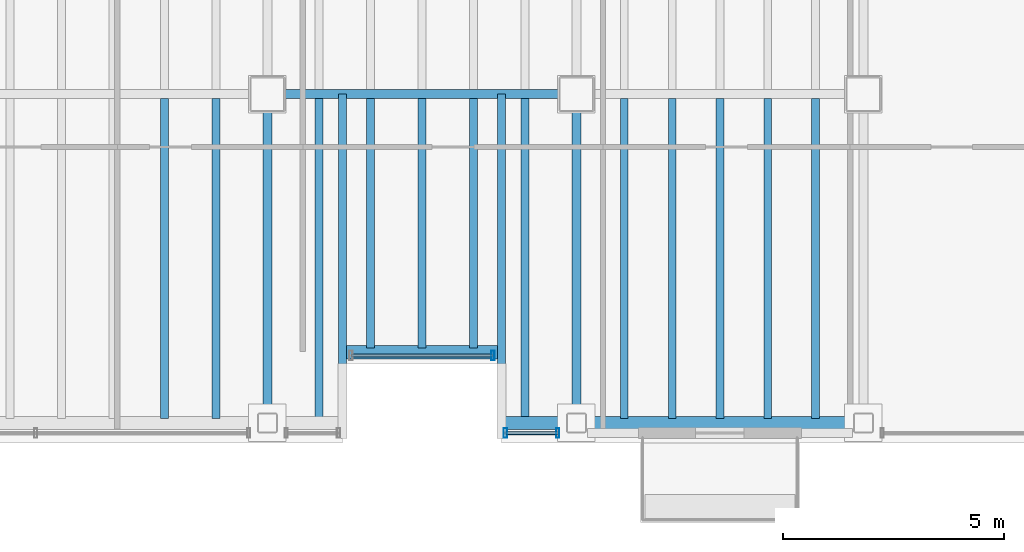
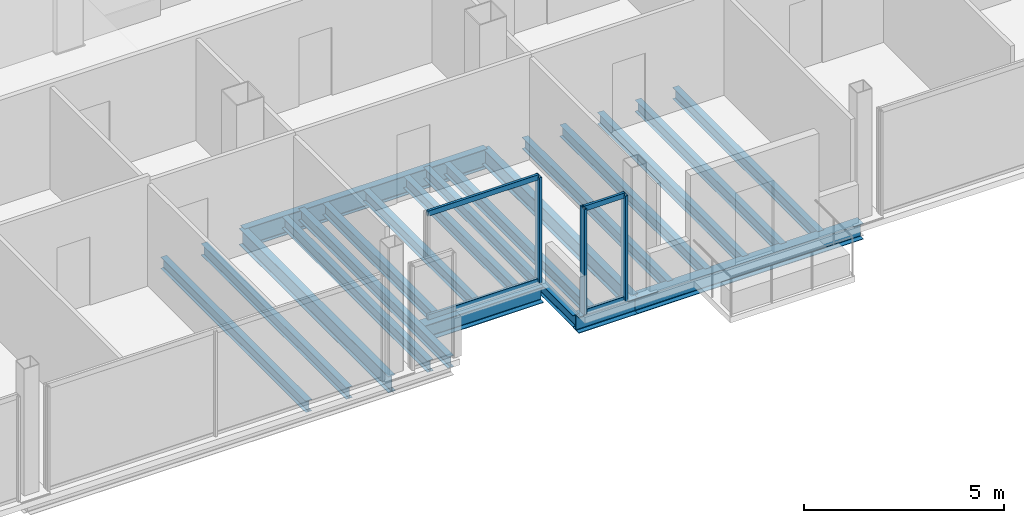
# One storey, part 6 of 17: 20 beams, 7 members, 2 elements without a shape of their own.
"""IFC4 building model written with IfcOpenShell, lengths in metres."""

from ifc_helpers import new_model, si_unit, direction, frame, origin, origin_2d, place, context, subcontext, project, spatial, hollow_rectangle, i_section, extrude, material, material_profile, profile_set, type_object, element, aggregate, save


model = new_model("IFC4")

# Units and contexts
model_context = context("Model", 3, precision=1e-05, world=origin(), true_north=direction((0.0, 1.0)))
body_context = subcontext(model_context, "Body", "Model", "MODEL_VIEW")
ifc_project = project(units=[si_unit("LENGTHUNIT", "METRE"), si_unit("AREAUNIT", "SQUARE_METRE"), si_unit("VOLUMEUNIT", "CUBIC_METRE"), si_unit("PLANEANGLEUNIT", "RADIAN"), si_unit("MASSUNIT", "GRAM", prefix="KILO")], contexts=[model_context])

# Site, building, storey
site_placement = place(None, origin())
site = spatial("IfcSite", under=ifc_project, at=site_placement, CompositionType="ELEMENT")
building_placement = place(site_placement, origin())
building = spatial("IfcBuilding", under=site, at=building_placement, Name="Noeulbin Bourse Tower", CompositionType="ELEMENT")
storey_placement = place(building_placement, frame((0.0, 0.0, 242.300048828125)))
storey = spatial("IfcBuildingStorey", under=building, at=storey_placement, Name="L60", CompositionType="ELEMENT", Elevation=242.300048828125)

# Beams
ifc_material_1 = material(Name="Steel S355", Category="steel")
ifc_material_profile_1 = material_profile(ifc_material_1, i_section(OverallWidth=0.199951171875, OverallDepth=0.5, WebThickness=0.010009765625, FlangeThickness=0.01611328125, FilletRadius=0.02001953125, at=origin_2d()), Name="H-500x200x10x16", Category="LoadBearing")
ifc_profile_set_1 = profile_set([ifc_material_profile_1], Name="Steel S355")
beam_type_1 = type_object("IfcBeamType", Name="BM-GRD-500", PredefinedType="USERDEFINED", material=ifc_profile_set_1)
for number, where, z_axis, x_axis, name in (
    (1, (24.0, 12.550048828125, -0.429931640625), (0.0, 1.0, 0.0), (-1.0, 0.0, 0.0), "Tower Primary Girder NS L60-2.1"),
    (2, (31.0, 12.550048828125, -0.429931640625), (0.0, 1.0, 0.0), (-1.0, 0.0, 0.0), "Tower Primary Girder NS L60-3.1"),
):
    element("IfcBeam", number, at=place(storey_placement, frame(where, z_axis=z_axis, x_axis=x_axis)), inside=storey, type_object=beam_type_1, Name=name, ObjectType="GIRDER", PredefinedType="USERDEFINED", context=body_context, shape_type="SweptSolid", body=[
        extrude(i_section(OverallWidth=0.199951171875, OverallDepth=0.5, WebThickness=0.010009765625, FlangeThickness=0.01611328125, FilletRadius=0.02001953125, at=origin_2d()), origin(), (0.0, 0.0, 1.0), 7.449951171875),
    ])
ifc_material_profile_2 = material_profile(ifc_material_1, i_section(OverallWidth=0.199951171875, OverallDepth=0.60009765625, WebThickness=0.010986328125, FlangeThickness=0.01708984375, FilletRadius=0.02197265625, at=origin_2d()), Name="H-600x200x11x17", Category="LoadBearing")
ifc_profile_set_2 = profile_set([ifc_material_profile_2], Name="Steel S355")
beam_type_2 = type_object("IfcBeamType", Name="BM-GRD-600", PredefinedType="USERDEFINED", material=ifc_profile_set_2)
beam_1_placement = place(storey_placement, frame((24.0, 20.0, -0.47998046875), z_axis=(1.0, 0.0, 0.0), x_axis=(0.0, 1.0, 0.0)))
element("IfcBeam", 3, at=beam_1_placement, inside=storey, type_object=beam_type_2, Name="Tower Primary Girder EW L60-1.3", ObjectType="GIRDER", PredefinedType="USERDEFINED", context=body_context, shape_type="SweptSolid", body=[
    extrude(i_section(OverallWidth=0.199951171875, OverallDepth=0.60009765625, WebThickness=0.010986328125, FlangeThickness=0.01708984375, FilletRadius=0.02197265625, at=origin_2d()), origin(), (0.0, 0.0, 1.0), 7.0),
])
ifc_material_profile_3 = material_profile(ifc_material_1, i_section(OverallWidth=0.175048828125, OverallDepth=0.35009765625, WebThickness=0.007080078125, FlangeThickness=0.010986328125, FilletRadius=0.013916015625, at=origin_2d()), Name="H-350x175x7x11", Category="LoadBearing")
ifc_profile_set_3 = profile_set([ifc_material_profile_3], Name="Steel S355")
beam_type_3 = type_object("IfcBeamType", Name="BM-JST-350", PredefinedType="JOIST", material=ifc_profile_set_3)
for number, where, z_axis, x_axis, name in (
    (4, (25.699951171875, 12.550048828125, -0.35498046875), (0.0, 1.0, 0.0), (-1.0, 0.0, 0.0), "BM-L60-SRT-W"),
    (5, (29.300048828125, 12.550048828125, -0.35498046875), (0.0, 1.0, 0.0), (-1.0, 0.0, 0.0), "BM-L60-SRT-E"),
):
    element("IfcBeam", number, at=place(storey_placement, frame(where, z_axis=z_axis, x_axis=x_axis)), inside=storey, type_object=beam_type_3, Name=name, PredefinedType="JOIST", context=body_context, shape_type="SweptSolid", body=[
        extrude(i_section(OverallWidth=0.175048828125, OverallDepth=0.35009765625, WebThickness=0.007080078125, FlangeThickness=0.010986328125, FilletRadius=0.013916015625, at=origin_2d()), origin(), (0.0, 0.0, 1.0), 7.449951171875),
    ])
for number, where, z_axis, x_axis, name in (
    (6, (21.666748046875, 12.64990234375, -0.35498046875), (0.0, 1.0, 0.0), (-1.0, 0.0, 0.0), "Tower Composite Joist L60-13"),
    (7, (22.833251953125, 12.64990234375, -0.35498046875), (0.0, 1.0, 0.0), (-1.0, 0.0, 0.0), "Tower Composite Joist L60-15"),
    (8, (25.166748046875, 12.64990234375, -0.35498046875), (0.0, 1.0, 0.0), (-1.0, 0.0, 0.0), "Tower Composite Joist L60-17"),
):
    element("IfcBeam", number, at=place(storey_placement, frame(where, z_axis=z_axis, x_axis=x_axis)), inside=storey, type_object=beam_type_3, Name=name, PredefinedType="JOIST", context=body_context, shape_type="SweptSolid", body=[
        extrude(i_section(OverallWidth=0.175048828125, OverallDepth=0.35009765625, WebThickness=0.007080078125, FlangeThickness=0.010986328125, FilletRadius=0.013916015625, at=origin_2d()), origin(), (0.0, 0.0, 1.0), 7.25),
    ])
for number, where, z_axis, x_axis, name in (
    (9, (26.333251953125, 14.25, -0.35498046875), (0.0, 1.0, 0.0), (-1.0, 0.0, 0.0), "Tower Composite Joist L60-19"),
    (10, (27.5, 14.25, -0.35498046875), (0.0, 1.0, 0.0), (-1.0, 0.0, 0.0), "Tower Composite Joist L60-21"),
    (11, (28.666748046875, 14.25, -0.35498046875), (0.0, 1.0, 0.0), (-1.0, 0.0, 0.0), "Tower Composite Joist L60-23"),
):
    element("IfcBeam", number, at=place(storey_placement, frame(where, z_axis=z_axis, x_axis=x_axis)), inside=storey, type_object=beam_type_3, Name=name, PredefinedType="JOIST", context=body_context, shape_type="SweptSolid", body=[
        extrude(i_section(OverallWidth=0.175048828125, OverallDepth=0.35009765625, WebThickness=0.007080078125, FlangeThickness=0.010986328125, FilletRadius=0.013916015625, at=origin_2d()), origin(), (0.0, 0.0, 1.0), 5.64990234375),
    ])
for number, where, z_axis, x_axis, name in (
    (12, (29.833251953125, 12.64990234375, -0.35498046875), (0.0, 1.0, 0.0), (-1.0, 0.0, 0.0), "Tower Composite Joist L60-25"),
    (13, (32.083251953125, 12.64990234375, -0.35498046875), (0.0, 1.0, 0.0), (-1.0, 0.0, 0.0), "Tower Composite Joist L60-27"),
    (14, (33.166748046875, 12.64990234375, -0.35498046875), (0.0, 1.0, 0.0), (-1.0, 0.0, 0.0), "Tower Composite Joist L60-29"),
    (15, (34.25, 12.64990234375, -0.35498046875), (0.0, 1.0, 0.0), (-1.0, 0.0, 0.0), "Tower Composite Joist L60-31"),
    (16, (35.333251953125, 12.64990234375, -0.35498046875), (0.0, 1.0, 0.0), (-1.0, 0.0, 0.0), "Tower Composite Joist L60-33"),
    (17, (36.416748046875, 12.64990234375, -0.35498046875), (0.0, 1.0, 0.0), (-1.0, 0.0, 0.0), "Tower Composite Joist L60-35"),
):
    element("IfcBeam", number, at=place(storey_placement, frame(where, z_axis=z_axis, x_axis=x_axis)), inside=storey, type_object=beam_type_3, Name=name, PredefinedType="JOIST", context=body_context, shape_type="SweptSolid", body=[
        extrude(i_section(OverallWidth=0.175048828125, OverallDepth=0.35009765625, WebThickness=0.007080078125, FlangeThickness=0.010986328125, FilletRadius=0.013916015625, at=origin_2d()), origin(), (0.0, 0.0, 1.0), 7.25),
    ])
ifc_material_profile_4 = material_profile(ifc_material_1, i_section(OverallWidth=0.300048828125, OverallDepth=0.488037109375, WebThickness=0.010986328125, FlangeThickness=0.01806640625, FilletRadius=0.02197265625, at=origin_2d()), Name="H-488x300x11x18", Category="LoadBearing")
ifc_profile_set_4 = profile_set([ifc_material_profile_4], Name="Steel S355")
beam_type_4 = type_object("IfcBeamType", Name="BM-SPN-488", PredefinedType="SPANDREL", material=ifc_profile_set_4)
beam_2_placement = place(storey_placement, frame((25.78759765625, 14.14990234375, -0.424072265625), z_axis=(1.0, 0.0, 0.0), x_axis=(0.0, 1.0, 0.0)))
element("IfcBeam", 18, at=beam_2_placement, inside=storey, type_object=beam_type_4, Name="South Recess Spandrel L60-2B", PredefinedType="SPANDREL", context=body_context, shape_type="SweptSolid", body=[
    extrude(i_section(OverallWidth=0.300048828125, OverallDepth=0.488037109375, WebThickness=0.010986328125, FlangeThickness=0.01806640625, FilletRadius=0.02197265625, at=origin_2d()), origin(), (0.0, 0.0, 1.0), 3.4248046875),
])
beam_3_placement = place(storey_placement, frame((29.300048828125, 12.550048828125, -0.424072265625), z_axis=(1.0, 0.0, 0.0), x_axis=(0.0, 1.0, 0.0)))
element("IfcBeam", 19, at=beam_3_placement, inside=storey, type_object=beam_type_4, Name="South Spandrel L60-2C", PredefinedType="SPANDREL", context=body_context, shape_type="SweptSolid", body=[
    extrude(i_section(OverallWidth=0.300048828125, OverallDepth=0.488037109375, WebThickness=0.010986328125, FlangeThickness=0.01806640625, FilletRadius=0.02197265625, at=origin_2d()), origin(), (0.0, 0.0, 1.0), 1.699951171875),
])
beam_4_placement = place(storey_placement, frame((31.0, 12.550048828125, -0.424072265625), z_axis=(1.0, 0.0, 0.0), x_axis=(0.0, 1.0, 0.0)))
element("IfcBeam", 20, at=beam_4_placement, inside=storey, type_object=beam_type_4, Name="South Spandrel L60-3", PredefinedType="SPANDREL", context=body_context, shape_type="SweptSolid", body=[
    extrude(i_section(OverallWidth=0.300048828125, OverallDepth=0.488037109375, WebThickness=0.010986328125, FlangeThickness=0.01806640625, FilletRadius=0.02197265625, at=origin_2d()), origin(), (0.0, 0.0, 1.0), 6.5),
])

# Curtain wall, member
ifc_material_2 = material(Name="High-Selectivity Low-Iron Glazing", Category="glass")
curtain_wall_type = type_object("IfcCurtainWallType", Name="CW-SYS-4", PredefinedType="NOTDEFINED", material=ifc_material_2)
curtain_wall_1_placement = place(storey_placement, origin())
curtain_wall_1 = element("IfcCurtainWall", 21, at=curtain_wall_1_placement, inside=storey, type_object=curtain_wall_type, Name="Unitised Curtain Wall CW-L60-SREC", PredefinedType="NOTDEFINED")
ifc_material_3 = material(Name="Anodised Aluminium 6063-T6", Category="aluminium")
ifc_material_profile_5 = material_profile(ifc_material_3, hollow_rectangle(XDim=0.074951171875, YDim=0.219970703125, WallThickness=0.0048828125, InnerFilletRadius=0.00244140625, OuterFilletRadius=0.0048828125, at=origin_2d()), Name="ALU-MULL-75x220x5", Category="LoadBearing")
ifc_profile_set_5 = profile_set([ifc_material_profile_5], Name="Anodised Aluminium 6063-T6")
member_type_1 = type_object("IfcMemberType", Name="CW-SYS-4-MUL", PredefinedType="MULLION", material=ifc_profile_set_5)
member_1_placement = place(storey_placement, frame((29.110107421875, 14.080078125, -0.02001953125), z_axis=(0.0, 0.0, 1.0), x_axis=(1.0, 0.0, 0.0)))
member_1 = element("IfcMember", 22, at=member_1_placement, type_object=member_type_1, Name="Curtain Wall Mullion CW-L60-SREC-M01", PredefinedType="MULLION", context=body_context, shape_type="SweptSolid", body=[
    extrude(hollow_rectangle(XDim=0.074951171875, YDim=0.219970703125, WallThickness=0.0048828125, InnerFilletRadius=0.00244140625, OuterFilletRadius=0.0048828125, at=origin_2d()), origin(), (0.0, 0.0, 1.0), 3.219970703125),
])

# Curtain wall, members
curtain_wall_2_placement = place(storey_placement, origin())
curtain_wall_2 = element("IfcCurtainWall", 23, at=curtain_wall_2_placement, inside=storey, type_object=curtain_wall_type, Name="Unitised Curtain Wall CW-L60-S2", PredefinedType="NOTDEFINED")
member_2_placement = place(storey_placement, frame((29.389892578125, 12.320068359375, -0.02001953125), z_axis=(0.0, 0.0, 1.0), x_axis=(1.0, 0.0, 0.0)))
member_2 = element("IfcMember", 24, at=member_2_placement, type_object=member_type_1, Name="Curtain Wall Mullion CW-L60-S2-M00", PredefinedType="MULLION", context=body_context, shape_type="SweptSolid", body=[
    extrude(hollow_rectangle(XDim=0.074951171875, YDim=0.219970703125, WallThickness=0.0048828125, InnerFilletRadius=0.00244140625, OuterFilletRadius=0.0048828125, at=origin_2d()), origin(), (0.0, 0.0, 1.0), 3.219970703125),
])
member_3_placement = place(storey_placement, frame((30.574951171875, 12.320068359375, -0.02001953125), z_axis=(0.0, 0.0, 1.0), x_axis=(1.0, 0.0, 0.0)))
member_3 = element("IfcMember", 25, at=member_3_placement, type_object=member_type_1, Name="Curtain Wall Mullion CW-L60-S2-M01", PredefinedType="MULLION", context=body_context, shape_type="SweptSolid", body=[
    extrude(hollow_rectangle(XDim=0.074951171875, YDim=0.219970703125, WallThickness=0.0048828125, InnerFilletRadius=0.00244140625, OuterFilletRadius=0.0048828125, at=origin_2d()), origin(), (0.0, 0.0, 1.0), 3.219970703125),
])

# Member
ifc_material_profile_6 = material_profile(ifc_material_3, hollow_rectangle(XDim=0.074951171875, YDim=0.159912109375, WallThickness=0.0048828125, InnerFilletRadius=0.00244140625, OuterFilletRadius=0.0048828125, at=origin_2d()), Name="ALU-TRAN-75x160x5", Category="LoadBearing")
ifc_profile_set_6 = profile_set([ifc_material_profile_6], Name="Anodised Aluminium 6063-T6")
member_type_2 = type_object("IfcMemberType", Name="CW-SYS-4-TRN", PredefinedType="USERDEFINED", material=ifc_profile_set_6)
member_4_placement = place(storey_placement, frame((25.89990234375, 14.080078125, 0.010009765625), z_axis=(1.0, 0.0, 0.0), x_axis=(0.0, 1.0, 0.0)))
member_4 = element("IfcMember", 26, at=member_4_placement, type_object=member_type_2, Name="Curtain Wall Transom CW-L60-SREC-T00", ObjectType="TRANSOM", PredefinedType="USERDEFINED", context=body_context, shape_type="SweptSolid", body=[
    extrude(hollow_rectangle(XDim=0.074951171875, YDim=0.159912109375, WallThickness=0.0048828125, InnerFilletRadius=0.00244140625, OuterFilletRadius=0.0048828125, at=origin_2d()), origin(), (0.0, 0.0, 1.0), 3.2001953125),
])

member_5_placement = place(storey_placement, frame((25.89990234375, 14.080078125, 3.169921875), z_axis=(1.0, 0.0, 0.0), x_axis=(0.0, 1.0, 0.0)))
member_5 = element("IfcMember", 27, at=member_5_placement, type_object=member_type_2, Name="Curtain Wall Transom CW-L60-SREC-T01", ObjectType="TRANSOM", PredefinedType="USERDEFINED", context=body_context, shape_type="SweptSolid", body=[
    extrude(hollow_rectangle(XDim=0.074951171875, YDim=0.159912109375, WallThickness=0.0048828125, InnerFilletRadius=0.00244140625, OuterFilletRadius=0.0048828125, at=origin_2d()), origin(), (0.0, 0.0, 1.0), 3.2001953125),
])

aggregate(curtain_wall_1, [member_1, member_4, member_5])

member_6_placement = place(storey_placement, frame((29.39990234375, 12.320068359375, 0.010009765625), z_axis=(1.0, 0.0, 0.0), x_axis=(0.0, 1.0, 0.0)))
member_6 = element("IfcMember", 28, at=member_6_placement, type_object=member_type_2, Name="Curtain Wall Transom CW-L60-S2-T00", ObjectType="TRANSOM", PredefinedType="USERDEFINED", context=body_context, shape_type="SweptSolid", body=[
    extrude(hollow_rectangle(XDim=0.074951171875, YDim=0.159912109375, WallThickness=0.0048828125, InnerFilletRadius=0.00244140625, OuterFilletRadius=0.0048828125, at=origin_2d()), origin(), (0.0, 0.0, 1.0), 1.1650390625),
])

member_7_placement = place(storey_placement, frame((29.39990234375, 12.320068359375, 3.169921875), z_axis=(1.0, 0.0, 0.0), x_axis=(0.0, 1.0, 0.0)))
member_7 = element("IfcMember", 29, at=member_7_placement, type_object=member_type_2, Name="Curtain Wall Transom CW-L60-S2-T01", ObjectType="TRANSOM", PredefinedType="USERDEFINED", context=body_context, shape_type="SweptSolid", body=[
    extrude(hollow_rectangle(XDim=0.074951171875, YDim=0.159912109375, WallThickness=0.0048828125, InnerFilletRadius=0.00244140625, OuterFilletRadius=0.0048828125, at=origin_2d()), origin(), (0.0, 0.0, 1.0), 1.1650390625),
])

aggregate(curtain_wall_2, [member_2, member_3, member_6, member_7])

save(model, "model.ifc")
